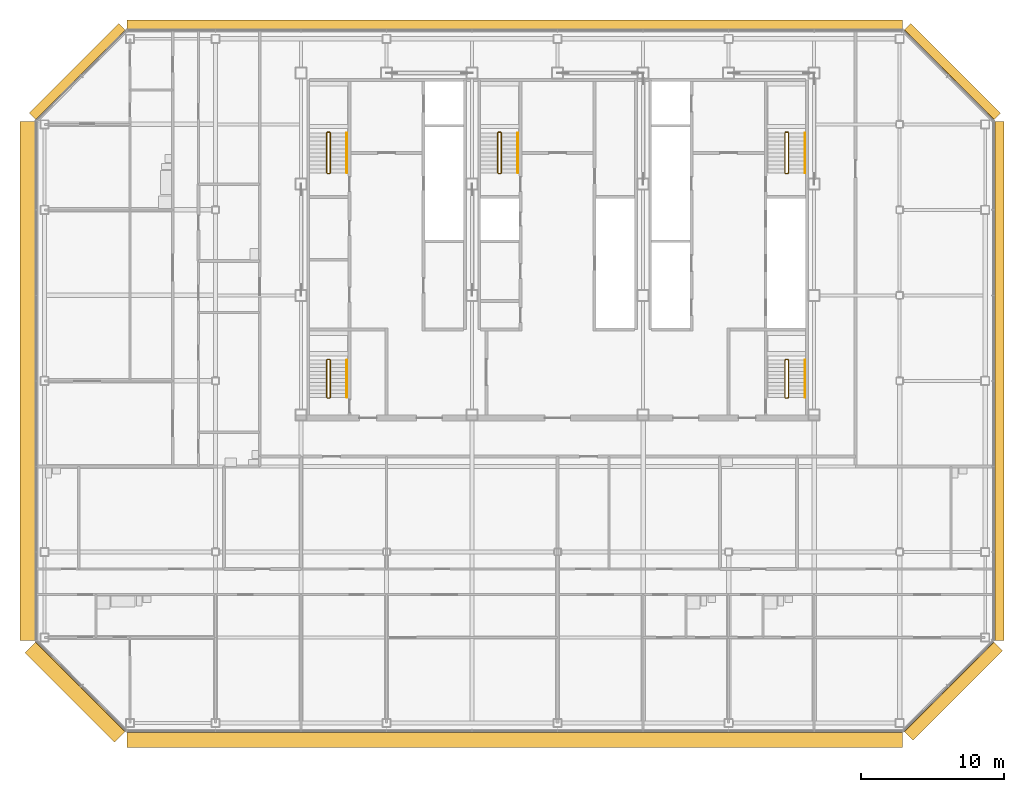
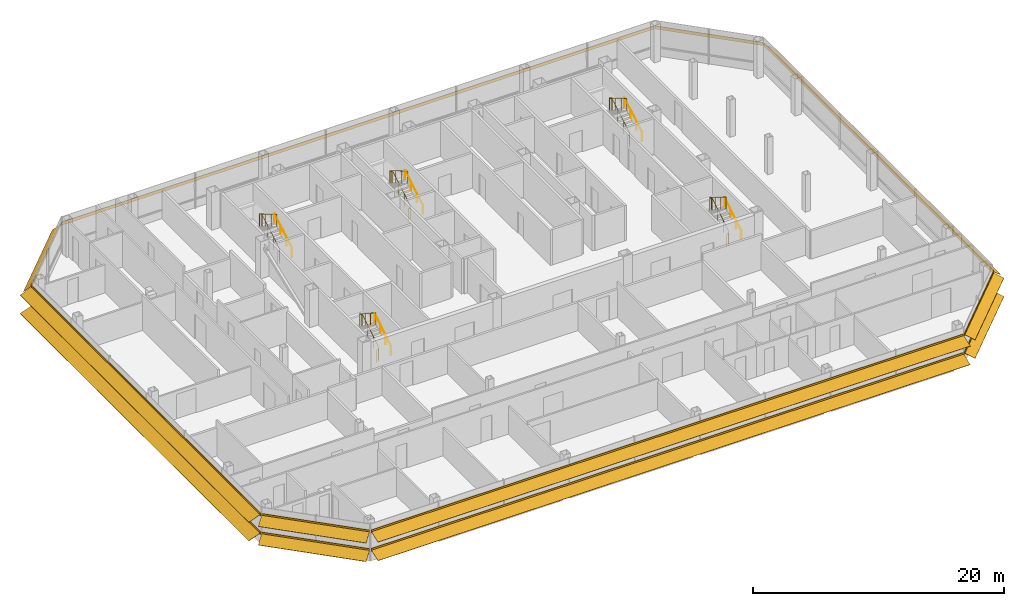
# One storey, part 26 of 27: 10 railings, 8 shading devices.
"""IFC4 building model written with IfcOpenShell, lengths in metres."""

from ifc_helpers import new_model, si_unit, direction, frame, origin, origin_2d, place, context, subcontext, project, spatial, polyline, circle, outline, composite_profile, extrude, material, type_object, element, save


model = new_model("IFC4")

# Units and contexts
model_context = context("Model", 3, precision=1e-05, world=origin(), true_north=direction((0.0, 1.0)))
body_context = subcontext(model_context, "Body", "Model", "MODEL_VIEW")
ifc_project = project(units=[si_unit("LENGTHUNIT", "METRE"), si_unit("AREAUNIT", "SQUARE_METRE"), si_unit("VOLUMEUNIT", "CUBIC_METRE"), si_unit("PLANEANGLEUNIT", "RADIAN"), si_unit("MASSUNIT", "GRAM", prefix="KILO")], contexts=[model_context])

# Site, building, storey
site_placement = place(None, origin())
site = spatial("IfcSite", under=ifc_project, at=site_placement, CompositionType="ELEMENT")
building_placement = place(site_placement, origin())
building = spatial("IfcBuilding", under=site, at=building_placement, Name="Sorahane Residences", CompositionType="ELEMENT")
storey_placement = place(building_placement, frame((0.0, 0.0, 246.800048828125)))
storey = spatial("IfcBuildingStorey", under=building, at=storey_placement, Name="L58", CompositionType="ELEMENT", Elevation=246.800048828125)

# Shading devices
ifc_material_1 = material(Name="Terracotta anodised aluminium", Category="masonry")
shading_device_type_1 = type_object("IfcShadingDeviceType", Name="Louvre sunshade blade E terracotta aluminium 700", PredefinedType="JALOUSIE", material=ifc_material_1)
shading_device_1_placement = place(storey_placement, frame((54.60009765625, 5.801513671875, 2.699951171875), z_axis=(0.0, 1.0, 0.0), x_axis=(-1.0, 0.0, 0.0)))
element("IfcShadingDevice", 1, at=shading_device_1_placement, inside=storey, type_object=shading_device_type_1, Name="Louvre sunshade blade bank E L58 E1", PredefinedType="JALOUSIE", context=body_context, shape_type="SweptSolid", body=[
    extrude(outline(polyline([(-0.719970703125, -0.49365234375), (-0.719970703125, -0.523681640625), (-0.080078125, -0.05859375), (-0.080078125, -0.14990234375), (-0.02001953125, -0.14990234375), (-0.02001953125, -0.014892578125), (-0.02001953125, 0.014892578125), (-0.02001953125, 0.14990234375), (-0.080078125, 0.14990234375), (-0.080078125, -0.028564453125), (-0.719970703125, -0.49365234375)])), origin(), (0.0, 0.0, 1.0), 36.39697265625),
])
ifc_material_2 = material(Name="Terracotta anodised aluminium", Category="masonry")
shading_device_type_2 = type_object("IfcShadingDeviceType", Name="Louvre sunshade blade N terracotta aluminium 700", PredefinedType="JALOUSIE", material=ifc_material_2)
shading_device_2_placement = place(storey_placement, frame((48.198486328125, 48.60009765625, 2.699951171875), z_axis=(-1.0, 0.0, 0.0), x_axis=(0.0, -1.0, 0.0)))
element("IfcShadingDevice", 2, at=shading_device_2_placement, inside=storey, type_object=shading_device_type_2, Name="Louvre sunshade blade bank N L58 N1", PredefinedType="JALOUSIE", context=body_context, shape_type="SweptSolid", body=[
    extrude(outline(polyline([(-0.719970703125, -0.660888671875), (-0.719970703125, -0.69091796875), (-0.080078125, -0.072998046875), (-0.080078125, -0.14990234375), (-0.02001953125, -0.14990234375), (-0.02001953125, -0.014892578125), (-0.02001953125, 0.014892578125), (-0.02001953125, 0.14990234375), (-0.080078125, 0.14990234375), (-0.080078125, -0.04296875), (-0.719970703125, -0.660888671875)])), origin(), (0.0, 0.0, 1.0), 54.39697265625),
])
ifc_material_3 = material(Name="Terracotta anodised aluminium", Category="masonry")
shading_device_type_3 = type_object("IfcShadingDeviceType", Name="Louvre sunshade blade NE terracotta aluminium 700", PredefinedType="JALOUSIE", material=ifc_material_3)
shading_device_3_placement = place(storey_placement, frame((54.564697265625, 42.283935546875, 2.699951171875), z_axis=(-0.707106781187, 0.707106781187, 0.0), x_axis=(-0.707106781187, -0.707106781187, 0.0)))
element("IfcShadingDevice", 3, at=shading_device_3_placement, inside=storey, type_object=shading_device_type_3, Name="Louvre sunshade blade bank NE L58 NE1", PredefinedType="JALOUSIE", context=body_context, shape_type="SweptSolid", body=[
    extrude(outline(polyline([(-0.719970703125, -0.572509765625), (-0.719970703125, -0.602294921875), (-0.080078125, -0.065185546875), (-0.080078125, -0.14990234375), (-0.02001953125, -0.14990234375), (-0.02001953125, -0.014892578125), (-0.02001953125, 0.014892578125), (-0.02001953125, 0.14990234375), (-0.080078125, 0.14990234375), (-0.080078125, -0.035400390625), (-0.719970703125, -0.572509765625)])), origin(), (0.0, 0.0, 1.0), 8.88232421875),
])
ifc_material_4 = material(Name="Terracotta anodised aluminium", Category="masonry")
shading_device_type_4 = type_object("IfcShadingDeviceType", Name="Louvre sunshade blade NW terracotta aluminium 700", PredefinedType="JALOUSIE", material=ifc_material_4)
shading_device_4_placement = place(storey_placement, frame((-6.283935546875, 48.564697265625, 2.699951171875), z_axis=(-0.707106781187, -0.707106781187, 0.0), x_axis=(0.707106781187, -0.707106781187, 0.0)))
element("IfcShadingDevice", 4, at=shading_device_4_placement, inside=storey, type_object=shading_device_type_4, Name="Louvre sunshade blade bank NW L58 NW1", PredefinedType="JALOUSIE", context=body_context, shape_type="SweptSolid", body=[
    extrude(outline(polyline([(-0.719970703125, -0.660888671875), (-0.719970703125, -0.69091796875), (-0.080078125, -0.072998046875), (-0.080078125, -0.14990234375), (-0.02001953125, -0.14990234375), (-0.02001953125, -0.014892578125), (-0.02001953125, 0.014892578125), (-0.02001953125, 0.14990234375), (-0.080078125, 0.14990234375), (-0.080078125, -0.04296875), (-0.719970703125, -0.660888671875)])), origin(), (0.0, 0.0, 1.0), 8.88232421875),
])
ifc_material_5 = material(Name="Terracotta anodised aluminium", Category="masonry")
shading_device_type_5 = type_object("IfcShadingDeviceType", Name="Louvre sunshade blade S terracotta aluminium 1100", PredefinedType="JALOUSIE", material=ifc_material_5)
shading_device_5_placement = place(storey_placement, frame((-6.198486328125, -0.60009765625, 0.89990234375), z_axis=(1.0, 0.0, 0.0), x_axis=(0.0, 1.0, 0.0)))
element("IfcShadingDevice", 5, at=shading_device_5_placement, inside=storey, type_object=shading_device_type_5, Name="Louvre sunshade blade bank S L58 S1", PredefinedType="JALOUSIE", context=body_context, shape_type="SweptSolid", body=[
    extrude(composite_profile([outline(polyline([(-1.1201171875, -0.385498046875), (-1.1201171875, -0.415283203125), (-0.080078125, -0.036865234375), (-0.080078125, -0.14990234375), (-0.02001953125, -0.14990234375), (-0.02001953125, -0.014892578125), (-0.02001953125, 0.014892578125), (-0.02001953125, 0.14990234375), (-0.080078125, 0.14990234375), (-0.080078125, -0.0068359375), (-1.1201171875, -0.385498046875)])), outline(polyline([(-1.1201171875, 1.41455078125), (-1.1201171875, 1.384521484375), (-0.080078125, 1.76318359375), (-0.080078125, 1.64990234375), (-0.02001953125, 1.64990234375), (-0.02001953125, 1.784912109375), (-0.02001953125, 1.81494140625), (-0.02001953125, 1.949951171875), (-0.080078125, 1.949951171875), (-0.080078125, 1.793212890625), (-1.1201171875, 1.41455078125)]))]), origin(), (0.0, 0.0, 1.0), 54.39697265625),
])
ifc_material_6 = material(Name="Terracotta anodised aluminium", Category="masonry")
shading_device_type_6 = type_object("IfcShadingDeviceType", Name="Louvre sunshade blade SE terracotta aluminium 900", PredefinedType="JALOUSIE", material=ifc_material_6)
shading_device_6_placement = place(storey_placement, frame((48.283935546875, -0.564697265625, 0.89990234375), z_axis=(0.707106781187, 0.707106781187, 0.0), x_axis=(-0.707106781187, 0.707106781187, 0.0)))
element("IfcShadingDevice", 6, at=shading_device_6_placement, inside=storey, type_object=shading_device_type_6, Name="Louvre sunshade blade bank SE L58 SE1", PredefinedType="JALOUSIE", context=body_context, shape_type="SweptSolid", body=[
    extrude(composite_profile([outline(polyline([(-0.919921875, -0.3486328125), (-0.919921875, -0.378662109375), (-0.080078125, -0.039306640625), (-0.080078125, -0.14990234375), (-0.02001953125, -0.14990234375), (-0.02001953125, -0.014892578125), (-0.02001953125, 0.014892578125), (-0.02001953125, 0.14990234375), (-0.080078125, 0.14990234375), (-0.080078125, -0.00927734375), (-0.919921875, -0.3486328125)])), outline(polyline([(-0.919921875, 1.451416015625), (-0.919921875, 1.42138671875), (-0.080078125, 1.7607421875), (-0.080078125, 1.64990234375), (-0.02001953125, 1.64990234375), (-0.02001953125, 1.784912109375), (-0.02001953125, 1.81494140625), (-0.02001953125, 1.949951171875), (-0.080078125, 1.949951171875), (-0.080078125, 1.790771484375), (-0.919921875, 1.451416015625)]))]), origin(), (0.0, 0.0, 1.0), 8.88232421875),
])
ifc_material_7 = material(Name="Terracotta anodised aluminium", Category="masonry")
shading_device_type_7 = type_object("IfcShadingDeviceType", Name="Louvre sunshade blade SW terracotta aluminium 1100", PredefinedType="JALOUSIE", material=ifc_material_7)
shading_device_7_placement = place(storey_placement, frame((-12.564697265625, 5.716064453125, 0.89990234375), z_axis=(0.707106781187, -0.707106781187, 0.0), x_axis=(0.707106781187, 0.707106781187, 0.0)))
element("IfcShadingDevice", 7, at=shading_device_7_placement, inside=storey, type_object=shading_device_type_7, Name="Louvre sunshade blade bank SW L58 SW1", PredefinedType="JALOUSIE", context=body_context, shape_type="SweptSolid", body=[
    extrude(composite_profile([outline(polyline([(-1.1201171875, -0.385498046875), (-1.1201171875, -0.415283203125), (-0.080078125, -0.036865234375), (-0.080078125, -0.14990234375), (-0.02001953125, -0.14990234375), (-0.02001953125, -0.014892578125), (-0.02001953125, 0.014892578125), (-0.02001953125, 0.14990234375), (-0.080078125, 0.14990234375), (-0.080078125, -0.0068359375), (-1.1201171875, -0.385498046875)])), outline(polyline([(-1.1201171875, 1.41455078125), (-1.1201171875, 1.384521484375), (-0.080078125, 1.76318359375), (-0.080078125, 1.64990234375), (-0.02001953125, 1.64990234375), (-0.02001953125, 1.784912109375), (-0.02001953125, 1.81494140625), (-0.02001953125, 1.949951171875), (-0.080078125, 1.949951171875), (-0.080078125, 1.793212890625), (-1.1201171875, 1.41455078125)]))]), origin(), (0.0, 0.0, 1.0), 8.88232421875),
])
ifc_material_8 = material(Name="Terracotta anodised aluminium", Category="masonry")
shading_device_type_8 = type_object("IfcShadingDeviceType", Name="Louvre sunshade blade W terracotta aluminium 1100", PredefinedType="JALOUSIE", material=ifc_material_8)
shading_device_8_placement = place(storey_placement, frame((-12.60009765625, 42.198486328125, 0.89990234375), z_axis=(0.0, -1.0, 0.0), x_axis=(1.0, 0.0, 0.0)))
element("IfcShadingDevice", 8, at=shading_device_8_placement, inside=storey, type_object=shading_device_type_8, Name="Louvre sunshade blade bank W L58 W1", PredefinedType="JALOUSIE", context=body_context, shape_type="SweptSolid", body=[
    extrude(composite_profile([outline(polyline([(-1.1201171875, -0.385498046875), (-1.1201171875, -0.415283203125), (-0.080078125, -0.036865234375), (-0.080078125, -0.14990234375), (-0.02001953125, -0.14990234375), (-0.02001953125, -0.014892578125), (-0.02001953125, 0.014892578125), (-0.02001953125, 0.14990234375), (-0.080078125, 0.14990234375), (-0.080078125, -0.0068359375), (-1.1201171875, -0.385498046875)])), outline(polyline([(-1.1201171875, 1.41455078125), (-1.1201171875, 1.384521484375), (-0.080078125, 1.76318359375), (-0.080078125, 1.64990234375), (-0.02001953125, 1.64990234375), (-0.02001953125, 1.784912109375), (-0.02001953125, 1.81494140625), (-0.02001953125, 1.949951171875), (-0.080078125, 1.949951171875), (-0.080078125, 1.793212890625), (-1.1201171875, 1.41455078125)]))]), origin(), (0.0, 0.0, 1.0), 36.39697265625),
])

# Railings
ifc_material_9 = material(Name="Steel Q355B", Category="steel")
railing_type_1 = type_object("IfcRailingType", Name="Stair guard 1200 Steel Q355B", PredefinedType="GUARDRAIL", material=ifc_material_9)
railing_1_placement = place(storey_placement, frame((7.85009765625, 38.550048828125, 0.0)))
element("IfcRailing", 9, at=railing_1_placement, inside=storey, type_object=railing_type_1, Name="L58 S1 stair guard 1", PredefinedType="GUARDRAIL", context=body_context, shape_type="SweptSolid", body=[
    extrude(circle(Radius=0.02392578125, at=origin_2d()), frame((0.0, 0.0, 1.17578125), z_axis=(1.0, 0.0, 0.0), x_axis=(0.0, 1.0, 0.0)), (0.0, 0.0, 1.0), 0.14990234375),
    extrude(circle(Radius=0.02392578125, at=origin_2d()), frame((0.14990234375, 0.0, 1.17578125), z_axis=(0.280808744504, 0.280808744504, 0.917765164963), x_axis=(-0.707106781187, 0.707106781187, 0.0)), (0.0, 0.0, 1.0), 0.17822265625),
    extrude(circle(Radius=0.02392578125, at=origin_2d()), frame((0.199951171875, 0.050048828125, 1.33935546875), z_axis=(0.0, 0.863341702679, 0.504619762213), x_axis=(-1.0, 0.0, 0.0)), (0.0, 0.0, 1.0), 3.242919921875),
    extrude(circle(Radius=0.02392578125, at=origin_2d()), frame((0.199951171875, 2.849853515625, 2.97607421875), z_axis=(-0.707106781187, 0.707106781187, 0.0), x_axis=(-0.707106781187, -0.707106781187, 0.0)), (0.0, 0.0, 1.0), 0.07080078125),
    extrude(circle(Radius=0.02392578125, at=origin_2d()), frame((0.14990234375, 2.89990234375, 2.97607421875), z_axis=(-1.0, 0.0, 0.0), x_axis=(0.0, -1.0, 0.0)), (0.0, 0.0, 1.0), 0.14990234375),
    extrude(circle(Radius=0.02392578125, at=origin_2d()), frame((0.0, 2.89990234375, 2.97607421875), z_axis=(-0.280808744504, -0.280808744504, 0.917765164963), x_axis=(0.707106781187, -0.707106781187, 0.0)), (0.0, 0.0, 1.0), 0.17822265625),
    extrude(circle(Radius=0.02392578125, at=origin_2d()), frame((-0.050048828125, 2.849853515625, 3.1396484375), z_axis=(0.0, -0.863374499697, 0.504563646405), x_axis=(1.0, 0.0, 0.0)), (0.0, 0.0, 1.0), 3.242919921875),
    extrude(circle(Radius=0.02099609375, at=origin_2d()), origin(), (0.0, 0.0, 1.0), 1.15185546875),
    extrude(circle(Radius=0.02099609375, at=origin_2d()), frame((0.14990234375, 0.0, 0.0)), (0.0, 0.0, 1.0), 1.15185546875),
    extrude(circle(Radius=0.02099609375, at=origin_2d()), frame((0.199951171875, 0.050048828125, 0.16357421875)), (0.0, 0.0, 1.0), 1.15185546875),
    extrude(circle(Radius=0.02099609375, at=origin_2d()), frame((0.199951171875, 0.9833984375, 0.708984375)), (0.0, 0.0, 1.0), 1.15185546875),
    extrude(circle(Radius=0.02099609375, at=origin_2d()), frame((0.199951171875, 1.91650390625, 1.254638671875)), (0.0, 0.0, 1.0), 1.15185546875),
    extrude(circle(Radius=0.02099609375, at=origin_2d()), frame((0.199951171875, 2.849853515625, 1.800048828125)), (0.0, 0.0, 1.0), 1.15185546875),
    extrude(circle(Radius=0.02099609375, at=origin_2d()), frame((0.14990234375, 2.89990234375, 1.800048828125)), (0.0, 0.0, 1.0), 1.15185546875),
    extrude(circle(Radius=0.02099609375, at=origin_2d()), frame((0.0, 2.89990234375, 1.800048828125)), (0.0, 0.0, 1.0), 1.15185546875),
    extrude(circle(Radius=0.02099609375, at=origin_2d()), frame((-0.050048828125, 2.849853515625, 1.963623046875)), (0.0, 0.0, 1.0), 1.15185546875),
    extrude(circle(Radius=0.02099609375, at=origin_2d()), frame((-0.050048828125, 1.91650390625, 2.509033203125)), (0.0, 0.0, 1.0), 1.15185546875),
    extrude(circle(Radius=0.02099609375, at=origin_2d()), frame((-0.050048828125, 0.9833984375, 3.054443359375)), (0.0, 0.0, 1.0), 1.15185546875),
    extrude(circle(Radius=0.02099609375, at=origin_2d()), frame((-0.050048828125, 0.050048828125, 3.599853515625)), (0.0, 0.0, 1.0), 1.15185546875),
])
railing_2_placement = place(storey_placement, frame((40.0, 38.550048828125, 0.0)))
element("IfcRailing", 10, at=railing_2_placement, inside=storey, type_object=railing_type_1, Name="L58 S2 stair guard 1", PredefinedType="GUARDRAIL", context=body_context, shape_type="SweptSolid", body=[
    extrude(circle(Radius=0.02392578125, at=origin_2d()), frame((0.0, 0.0, 1.17578125), z_axis=(1.0, 0.0, 0.0), x_axis=(0.0, 1.0, 0.0)), (0.0, 0.0, 1.0), 0.14990234375),
    extrude(circle(Radius=0.02392578125, at=origin_2d()), frame((0.14990234375, 0.0, 1.17578125), z_axis=(0.280808744504, 0.280808744504, 0.917765164963), x_axis=(-0.707106781187, 0.707106781187, 0.0)), (0.0, 0.0, 1.0), 0.17822265625),
    extrude(circle(Radius=0.02392578125, at=origin_2d()), frame((0.199951171875, 0.050048828125, 1.33935546875), z_axis=(0.0, 0.863341702679, 0.504619762213), x_axis=(-1.0, 0.0, 0.0)), (0.0, 0.0, 1.0), 3.242919921875),
    extrude(circle(Radius=0.02392578125, at=origin_2d()), frame((0.199951171875, 2.849853515625, 2.97607421875), z_axis=(-0.707106781187, 0.707106781187, 0.0), x_axis=(-0.707106781187, -0.707106781187, 0.0)), (0.0, 0.0, 1.0), 0.07080078125),
    extrude(circle(Radius=0.02392578125, at=origin_2d()), frame((0.14990234375, 2.89990234375, 2.97607421875), z_axis=(-1.0, 0.0, 0.0), x_axis=(0.0, -1.0, 0.0)), (0.0, 0.0, 1.0), 0.14990234375),
    extrude(circle(Radius=0.02392578125, at=origin_2d()), frame((0.0, 2.89990234375, 2.97607421875), z_axis=(-0.280808744504, -0.280808744504, 0.917765164963), x_axis=(0.707106781187, -0.707106781187, 0.0)), (0.0, 0.0, 1.0), 0.17822265625),
    extrude(circle(Radius=0.02392578125, at=origin_2d()), frame((-0.050048828125, 2.849853515625, 3.1396484375), z_axis=(0.0, -0.863374499697, 0.504563646405), x_axis=(1.0, 0.0, 0.0)), (0.0, 0.0, 1.0), 3.242919921875),
    extrude(circle(Radius=0.02099609375, at=origin_2d()), origin(), (0.0, 0.0, 1.0), 1.15185546875),
    extrude(circle(Radius=0.02099609375, at=origin_2d()), frame((0.14990234375, 0.0, 0.0)), (0.0, 0.0, 1.0), 1.15185546875),
    extrude(circle(Radius=0.02099609375, at=origin_2d()), frame((0.199951171875, 0.050048828125, 0.16357421875)), (0.0, 0.0, 1.0), 1.15185546875),
    extrude(circle(Radius=0.02099609375, at=origin_2d()), frame((0.199951171875, 0.9833984375, 0.708984375)), (0.0, 0.0, 1.0), 1.15185546875),
    extrude(circle(Radius=0.02099609375, at=origin_2d()), frame((0.199951171875, 1.91650390625, 1.254638671875)), (0.0, 0.0, 1.0), 1.15185546875),
    extrude(circle(Radius=0.02099609375, at=origin_2d()), frame((0.199951171875, 2.849853515625, 1.800048828125)), (0.0, 0.0, 1.0), 1.15185546875),
    extrude(circle(Radius=0.02099609375, at=origin_2d()), frame((0.14990234375, 2.89990234375, 1.800048828125)), (0.0, 0.0, 1.0), 1.15185546875),
    extrude(circle(Radius=0.02099609375, at=origin_2d()), frame((0.0, 2.89990234375, 1.800048828125)), (0.0, 0.0, 1.0), 1.15185546875),
    extrude(circle(Radius=0.02099609375, at=origin_2d()), frame((-0.050048828125, 2.849853515625, 1.963623046875)), (0.0, 0.0, 1.0), 1.15185546875),
    extrude(circle(Radius=0.02099609375, at=origin_2d()), frame((-0.050048828125, 1.91650390625, 2.509033203125)), (0.0, 0.0, 1.0), 1.15185546875),
    extrude(circle(Radius=0.02099609375, at=origin_2d()), frame((-0.050048828125, 0.9833984375, 3.054443359375)), (0.0, 0.0, 1.0), 1.15185546875),
    extrude(circle(Radius=0.02099609375, at=origin_2d()), frame((-0.050048828125, 0.050048828125, 3.599853515625)), (0.0, 0.0, 1.0), 1.15185546875),
])
railing_3_placement = place(storey_placement, frame((19.85009765625, 38.550048828125, 0.0)))
element("IfcRailing", 11, at=railing_3_placement, inside=storey, type_object=railing_type_1, Name="L58 S3 stair guard 1", PredefinedType="GUARDRAIL", context=body_context, shape_type="SweptSolid", body=[
    extrude(circle(Radius=0.02392578125, at=origin_2d()), frame((0.0, 0.0, 1.17578125), z_axis=(1.0, 0.0, 0.0), x_axis=(0.0, 1.0, 0.0)), (0.0, 0.0, 1.0), 0.14990234375),
    extrude(circle(Radius=0.02392578125, at=origin_2d()), frame((0.14990234375, 0.0, 1.17578125), z_axis=(0.280808744504, 0.280808744504, 0.917765164963), x_axis=(-0.707106781187, 0.707106781187, 0.0)), (0.0, 0.0, 1.0), 0.17822265625),
    extrude(circle(Radius=0.02392578125, at=origin_2d()), frame((0.199951171875, 0.050048828125, 1.33935546875), z_axis=(0.0, 0.863341702679, 0.504619762213), x_axis=(-1.0, 0.0, 0.0)), (0.0, 0.0, 1.0), 3.242919921875),
    extrude(circle(Radius=0.02392578125, at=origin_2d()), frame((0.199951171875, 2.849853515625, 2.97607421875), z_axis=(-0.707106781187, 0.707106781187, 0.0), x_axis=(-0.707106781187, -0.707106781187, 0.0)), (0.0, 0.0, 1.0), 0.07080078125),
    extrude(circle(Radius=0.02392578125, at=origin_2d()), frame((0.14990234375, 2.89990234375, 2.97607421875), z_axis=(-1.0, 0.0, 0.0), x_axis=(0.0, -1.0, 0.0)), (0.0, 0.0, 1.0), 0.14990234375),
    extrude(circle(Radius=0.02392578125, at=origin_2d()), frame((0.0, 2.89990234375, 2.97607421875), z_axis=(-0.280808744504, -0.280808744504, 0.917765164963), x_axis=(0.707106781187, -0.707106781187, 0.0)), (0.0, 0.0, 1.0), 0.17822265625),
    extrude(circle(Radius=0.02392578125, at=origin_2d()), frame((-0.050048828125, 2.849853515625, 3.1396484375), z_axis=(0.0, -0.863374499697, 0.504563646405), x_axis=(1.0, 0.0, 0.0)), (0.0, 0.0, 1.0), 3.242919921875),
    extrude(circle(Radius=0.02099609375, at=origin_2d()), origin(), (0.0, 0.0, 1.0), 1.15185546875),
    extrude(circle(Radius=0.02099609375, at=origin_2d()), frame((0.14990234375, 0.0, 0.0)), (0.0, 0.0, 1.0), 1.15185546875),
    extrude(circle(Radius=0.02099609375, at=origin_2d()), frame((0.199951171875, 0.050048828125, 0.16357421875)), (0.0, 0.0, 1.0), 1.15185546875),
    extrude(circle(Radius=0.02099609375, at=origin_2d()), frame((0.199951171875, 0.9833984375, 0.708984375)), (0.0, 0.0, 1.0), 1.15185546875),
    extrude(circle(Radius=0.02099609375, at=origin_2d()), frame((0.199951171875, 1.91650390625, 1.254638671875)), (0.0, 0.0, 1.0), 1.15185546875),
    extrude(circle(Radius=0.02099609375, at=origin_2d()), frame((0.199951171875, 2.849853515625, 1.800048828125)), (0.0, 0.0, 1.0), 1.15185546875),
    extrude(circle(Radius=0.02099609375, at=origin_2d()), frame((0.14990234375, 2.89990234375, 1.800048828125)), (0.0, 0.0, 1.0), 1.15185546875),
    extrude(circle(Radius=0.02099609375, at=origin_2d()), frame((0.0, 2.89990234375, 1.800048828125)), (0.0, 0.0, 1.0), 1.15185546875),
    extrude(circle(Radius=0.02099609375, at=origin_2d()), frame((-0.050048828125, 2.849853515625, 1.963623046875)), (0.0, 0.0, 1.0), 1.15185546875),
    extrude(circle(Radius=0.02099609375, at=origin_2d()), frame((-0.050048828125, 1.91650390625, 2.509033203125)), (0.0, 0.0, 1.0), 1.15185546875),
    extrude(circle(Radius=0.02099609375, at=origin_2d()), frame((-0.050048828125, 0.9833984375, 3.054443359375)), (0.0, 0.0, 1.0), 1.15185546875),
    extrude(circle(Radius=0.02099609375, at=origin_2d()), frame((-0.050048828125, 0.050048828125, 3.599853515625)), (0.0, 0.0, 1.0), 1.15185546875),
])
railing_4_placement = place(storey_placement, frame((7.85009765625, 22.800048828125, 0.0)))
element("IfcRailing", 12, at=railing_4_placement, inside=storey, type_object=railing_type_1, Name="L58 S4 stair guard 1", PredefinedType="GUARDRAIL", context=body_context, shape_type="SweptSolid", body=[
    extrude(circle(Radius=0.02392578125, at=origin_2d()), frame((0.0, 0.0, 1.17578125), z_axis=(1.0, 0.0, 0.0), x_axis=(0.0, 1.0, 0.0)), (0.0, 0.0, 1.0), 0.14990234375),
    extrude(circle(Radius=0.02392578125, at=origin_2d()), frame((0.14990234375, 0.0, 1.17578125), z_axis=(0.280808744504, 0.280808744504, 0.917765164963), x_axis=(-0.707106781187, 0.707106781187, 0.0)), (0.0, 0.0, 1.0), 0.17822265625),
    extrude(circle(Radius=0.02392578125, at=origin_2d()), frame((0.199951171875, 0.050048828125, 1.33935546875), z_axis=(0.0, 0.846301844409, 0.532703658848), x_axis=(-1.0, 0.0, 0.0)), (0.0, 0.0, 1.0), 3.072021484375),
    extrude(circle(Radius=0.02392578125, at=origin_2d()), frame((0.199951171875, 2.64990234375, 2.97607421875), z_axis=(-0.707106781187, 0.707106781187, 0.0), x_axis=(-0.707106781187, -0.707106781187, 0.0)), (0.0, 0.0, 1.0), 0.07080078125),
    extrude(circle(Radius=0.02392578125, at=origin_2d()), frame((0.14990234375, 2.699951171875, 2.97607421875), z_axis=(-1.0, 0.0, 0.0), x_axis=(0.0, -1.0, 0.0)), (0.0, 0.0, 1.0), 0.14990234375),
    extrude(circle(Radius=0.02392578125, at=origin_2d()), frame((0.0, 2.699951171875, 2.97607421875), z_axis=(-0.280808744504, -0.280808744504, 0.917765164963), x_axis=(0.707106781187, -0.707106781187, 0.0)), (0.0, 0.0, 1.0), 0.17822265625),
    extrude(circle(Radius=0.02392578125, at=origin_2d()), frame((-0.050048828125, 2.64990234375, 3.1396484375), z_axis=(0.0, -0.846337672412, 0.532646734952), x_axis=(1.0, 0.0, 0.0)), (0.0, 0.0, 1.0), 3.07177734375),
    extrude(circle(Radius=0.02099609375, at=origin_2d()), origin(), (0.0, 0.0, 1.0), 1.15185546875),
    extrude(circle(Radius=0.02099609375, at=origin_2d()), frame((0.14990234375, 0.0, 0.0)), (0.0, 0.0, 1.0), 1.15185546875),
    extrude(circle(Radius=0.02099609375, at=origin_2d()), frame((0.199951171875, 0.050048828125, 0.16357421875)), (0.0, 0.0, 1.0), 1.15185546875),
    extrude(circle(Radius=0.02099609375, at=origin_2d()), frame((0.199951171875, 0.916748046875, 0.708984375)), (0.0, 0.0, 1.0), 1.15185546875),
    extrude(circle(Radius=0.02099609375, at=origin_2d()), frame((0.199951171875, 1.783203125, 1.254638671875)), (0.0, 0.0, 1.0), 1.15185546875),
    extrude(circle(Radius=0.02099609375, at=origin_2d()), frame((0.199951171875, 2.64990234375, 1.800048828125)), (0.0, 0.0, 1.0), 1.15185546875),
    extrude(circle(Radius=0.02099609375, at=origin_2d()), frame((0.14990234375, 2.699951171875, 1.800048828125)), (0.0, 0.0, 1.0), 1.15185546875),
    extrude(circle(Radius=0.02099609375, at=origin_2d()), frame((0.0, 2.699951171875, 1.800048828125)), (0.0, 0.0, 1.0), 1.15185546875),
    extrude(circle(Radius=0.02099609375, at=origin_2d()), frame((-0.050048828125, 2.64990234375, 1.963623046875)), (0.0, 0.0, 1.0), 1.15185546875),
    extrude(circle(Radius=0.02099609375, at=origin_2d()), frame((-0.050048828125, 1.783203125, 2.509033203125)), (0.0, 0.0, 1.0), 1.15185546875),
    extrude(circle(Radius=0.02099609375, at=origin_2d()), frame((-0.050048828125, 0.916748046875, 3.054443359375)), (0.0, 0.0, 1.0), 1.15185546875),
    extrude(circle(Radius=0.02099609375, at=origin_2d()), frame((-0.050048828125, 0.050048828125, 3.599853515625)), (0.0, 0.0, 1.0), 1.15185546875),
])
railing_5_placement = place(storey_placement, frame((40.0, 22.800048828125, 0.0)))
element("IfcRailing", 13, at=railing_5_placement, inside=storey, type_object=railing_type_1, Name="L58 S5 stair guard 1", PredefinedType="GUARDRAIL", context=body_context, shape_type="SweptSolid", body=[
    extrude(circle(Radius=0.02392578125, at=origin_2d()), frame((0.0, 0.0, 1.17578125), z_axis=(1.0, 0.0, 0.0), x_axis=(0.0, 1.0, 0.0)), (0.0, 0.0, 1.0), 0.14990234375),
    extrude(circle(Radius=0.02392578125, at=origin_2d()), frame((0.14990234375, 0.0, 1.17578125), z_axis=(0.280808744504, 0.280808744504, 0.917765164963), x_axis=(-0.707106781187, 0.707106781187, 0.0)), (0.0, 0.0, 1.0), 0.17822265625),
    extrude(circle(Radius=0.02392578125, at=origin_2d()), frame((0.199951171875, 0.050048828125, 1.33935546875), z_axis=(0.0, 0.846301844409, 0.532703658848), x_axis=(-1.0, 0.0, 0.0)), (0.0, 0.0, 1.0), 3.072021484375),
    extrude(circle(Radius=0.02392578125, at=origin_2d()), frame((0.199951171875, 2.64990234375, 2.97607421875), z_axis=(-0.707106781187, 0.707106781187, 0.0), x_axis=(-0.707106781187, -0.707106781187, 0.0)), (0.0, 0.0, 1.0), 0.07080078125),
    extrude(circle(Radius=0.02392578125, at=origin_2d()), frame((0.14990234375, 2.699951171875, 2.97607421875), z_axis=(-1.0, 0.0, 0.0), x_axis=(0.0, -1.0, 0.0)), (0.0, 0.0, 1.0), 0.14990234375),
    extrude(circle(Radius=0.02392578125, at=origin_2d()), frame((0.0, 2.699951171875, 2.97607421875), z_axis=(-0.280808744504, -0.280808744504, 0.917765164963), x_axis=(0.707106781187, -0.707106781187, 0.0)), (0.0, 0.0, 1.0), 0.17822265625),
    extrude(circle(Radius=0.02392578125, at=origin_2d()), frame((-0.050048828125, 2.64990234375, 3.1396484375), z_axis=(0.0, -0.846337672412, 0.532646734952), x_axis=(1.0, 0.0, 0.0)), (0.0, 0.0, 1.0), 3.07177734375),
    extrude(circle(Radius=0.02099609375, at=origin_2d()), origin(), (0.0, 0.0, 1.0), 1.15185546875),
    extrude(circle(Radius=0.02099609375, at=origin_2d()), frame((0.14990234375, 0.0, 0.0)), (0.0, 0.0, 1.0), 1.15185546875),
    extrude(circle(Radius=0.02099609375, at=origin_2d()), frame((0.199951171875, 0.050048828125, 0.16357421875)), (0.0, 0.0, 1.0), 1.15185546875),
    extrude(circle(Radius=0.02099609375, at=origin_2d()), frame((0.199951171875, 0.916748046875, 0.708984375)), (0.0, 0.0, 1.0), 1.15185546875),
    extrude(circle(Radius=0.02099609375, at=origin_2d()), frame((0.199951171875, 1.783203125, 1.254638671875)), (0.0, 0.0, 1.0), 1.15185546875),
    extrude(circle(Radius=0.02099609375, at=origin_2d()), frame((0.199951171875, 2.64990234375, 1.800048828125)), (0.0, 0.0, 1.0), 1.15185546875),
    extrude(circle(Radius=0.02099609375, at=origin_2d()), frame((0.14990234375, 2.699951171875, 1.800048828125)), (0.0, 0.0, 1.0), 1.15185546875),
    extrude(circle(Radius=0.02099609375, at=origin_2d()), frame((0.0, 2.699951171875, 1.800048828125)), (0.0, 0.0, 1.0), 1.15185546875),
    extrude(circle(Radius=0.02099609375, at=origin_2d()), frame((-0.050048828125, 2.64990234375, 1.963623046875)), (0.0, 0.0, 1.0), 1.15185546875),
    extrude(circle(Radius=0.02099609375, at=origin_2d()), frame((-0.050048828125, 1.783203125, 2.509033203125)), (0.0, 0.0, 1.0), 1.15185546875),
    extrude(circle(Radius=0.02099609375, at=origin_2d()), frame((-0.050048828125, 0.916748046875, 3.054443359375)), (0.0, 0.0, 1.0), 1.15185546875),
    extrude(circle(Radius=0.02099609375, at=origin_2d()), frame((-0.050048828125, 0.050048828125, 3.599853515625)), (0.0, 0.0, 1.0), 1.15185546875),
])
ifc_material_10 = material(Name="Steel Q355B", Category="steel")
railing_type_2 = type_object("IfcRailingType", Name="Stair handrail 900 Steel Q355B", PredefinedType="HANDRAIL", material=ifc_material_10)
for number, where, name in (
    (14, (9.199951171875, 38.60009765625, 0.16357421875), "L58 S1 stair handrail 1"),
    (15, (41.35009765625, 38.60009765625, 0.16357421875), "L58 S2 stair handrail 1"),
    (16, (21.199951171875, 38.60009765625, 0.16357421875), "L58 S3 stair handrail 1"),
):
    element("IfcRailing", number, at=place(storey_placement, frame(where)), inside=storey, type_object=railing_type_2, Name=name, PredefinedType="HANDRAIL", context=body_context, shape_type="SweptSolid", body=[
        extrude(circle(Radius=0.02392578125, at=origin_2d()), frame((0.0, 0.0, 0.8759765625), z_axis=(0.0, 0.863341702679, 0.504619762213), x_axis=(-1.0, 0.0, 0.0)), (0.0, 0.0, 1.0), 3.242919921875),
        extrude(circle(Radius=0.02099609375, at=origin_2d()), origin(), (0.0, 0.0, 1.0), 0.851806640625),
        extrude(circle(Radius=0.02099609375, at=origin_2d()), frame((0.0, 0.933349609375, 0.54541015625)), (0.0, 0.0, 1.0), 0.851806640625),
        extrude(circle(Radius=0.02099609375, at=origin_2d()), frame((0.0, 1.866455078125, 1.091064453125)), (0.0, 0.0, 1.0), 0.851806640625),
        extrude(circle(Radius=0.02099609375, at=origin_2d()), frame((0.0, 2.7998046875, 1.636474609375)), (0.0, 0.0, 1.0), 0.851806640625),
    ])
for number, where, name in (
    (17, (9.199951171875, 22.85009765625, 0.16357421875), "L58 S4 stair handrail 1"),
    (18, (41.35009765625, 22.85009765625, 0.16357421875), "L58 S5 stair handrail 1"),
):
    element("IfcRailing", number, at=place(storey_placement, frame(where)), inside=storey, type_object=railing_type_2, Name=name, PredefinedType="HANDRAIL", context=body_context, shape_type="SweptSolid", body=[
        extrude(circle(Radius=0.02392578125, at=origin_2d()), frame((0.0, 0.0, 0.8759765625), z_axis=(0.0, 0.846301844409, 0.532703658848), x_axis=(-1.0, 0.0, 0.0)), (0.0, 0.0, 1.0), 3.072021484375),
        extrude(circle(Radius=0.02099609375, at=origin_2d()), origin(), (0.0, 0.0, 1.0), 0.851806640625),
        extrude(circle(Radius=0.02099609375, at=origin_2d()), frame((0.0, 0.86669921875, 0.54541015625)), (0.0, 0.0, 1.0), 0.851806640625),
        extrude(circle(Radius=0.02099609375, at=origin_2d()), frame((0.0, 1.733154296875, 1.091064453125)), (0.0, 0.0, 1.0), 0.851806640625),
        extrude(circle(Radius=0.02099609375, at=origin_2d()), frame((0.0, 2.599853515625, 1.636474609375)), (0.0, 0.0, 1.0), 0.851806640625),
    ])

save(model, "model.ifc")
